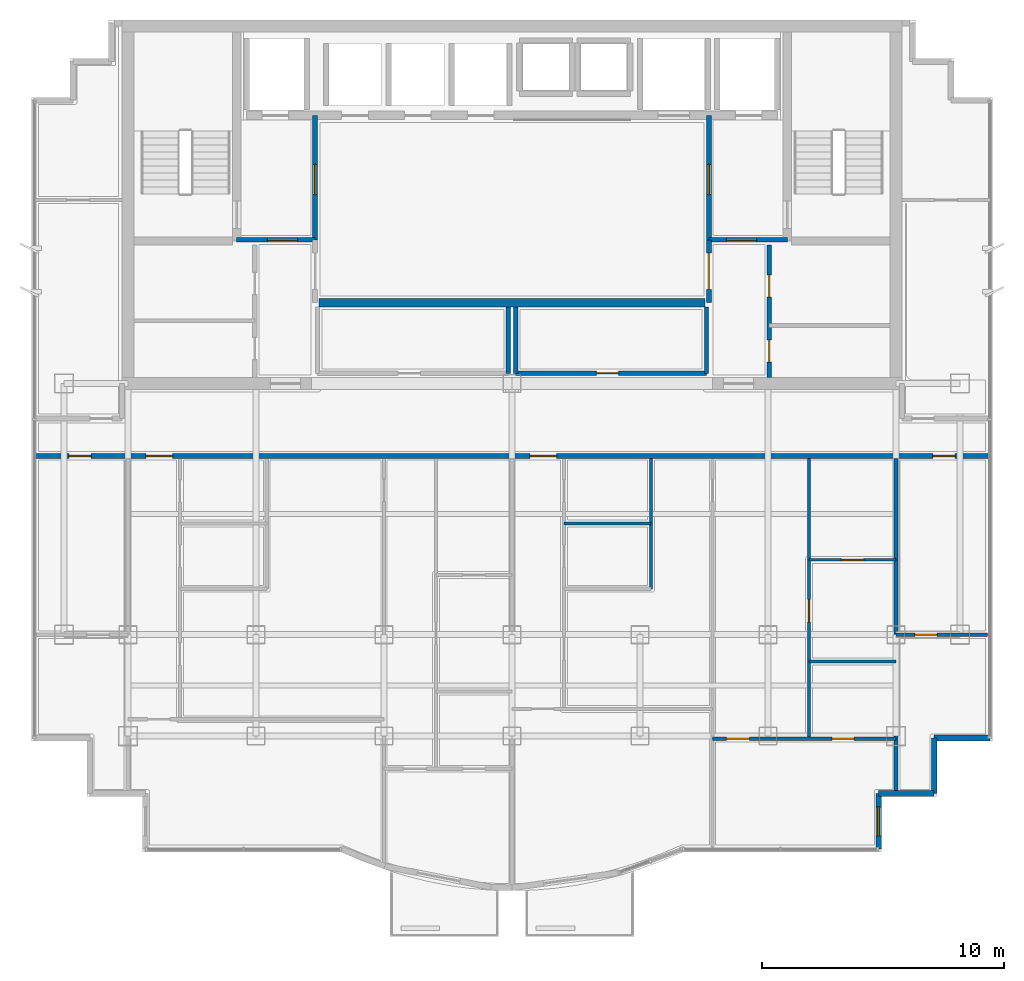
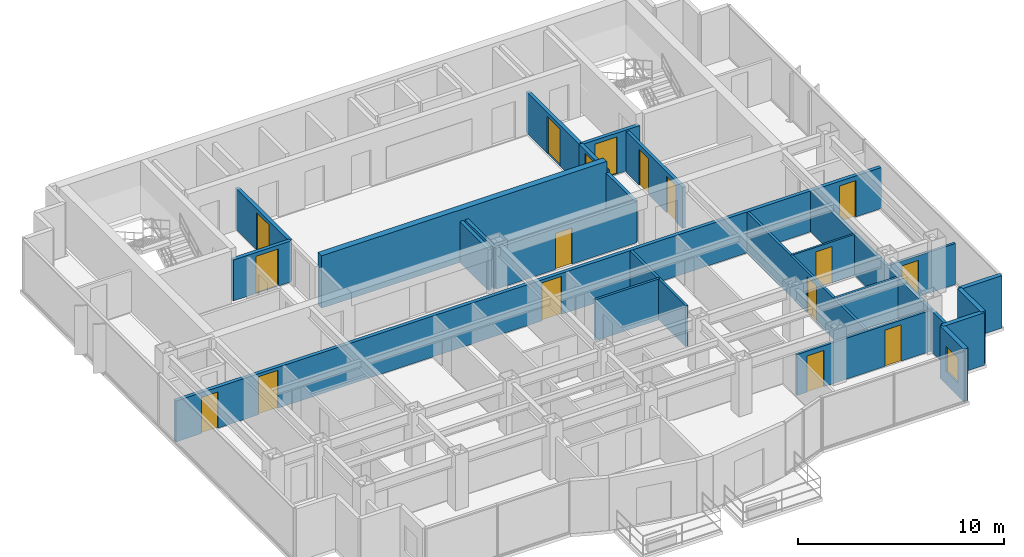
# One storey, part 8 of 12: 24 walls, 17 doors, 1 window, 18 openings.
"""IFC4 building model written with IfcOpenShell, lengths in metres."""

from ifc_helpers import new_model, si_unit, direction, frame, frame_2d, origin, place, context, subcontext, project, spatial, rectangle, extrude, material, layer, layer_set, type_object, element, fill, save


model = new_model("IFC4")

# Units and contexts
model_context = context("Model", 3, precision=1e-05, world=origin(), true_north=direction((0.0, 1.0)))
body_context = subcontext(model_context, "Body", "Model", "MODEL_VIEW")
ifc_project = project(units=[si_unit("LENGTHUNIT", "METRE"), si_unit("AREAUNIT", "SQUARE_METRE"), si_unit("VOLUMEUNIT", "CUBIC_METRE"), si_unit("PLANEANGLEUNIT", "RADIAN"), si_unit("MASSUNIT", "GRAM", prefix="KILO")], contexts=[model_context])

# Site, building, storey
site_placement = place(None, origin())
site = spatial("IfcSite", under=ifc_project, at=site_placement, CompositionType="ELEMENT")
building_placement = place(site_placement, origin())
building = spatial("IfcBuilding", under=site, at=building_placement, Name="Qianlan Lanfeng Residences", CompositionType="ELEMENT")
storey_placement = place(building_placement, frame((0.0, 0.0, 219.800048828125)))
storey = spatial("IfcBuildingStorey", under=building, at=storey_placement, Name="L60", CompositionType="ELEMENT", Elevation=219.800048828125)

# Wall
ifc_material_1 = material(Name="Concrete C49", Category="concrete")
ifc_layer_1 = layer(ifc_material_1, 0.35009765625)
ifc_layer_set_1 = layer_set([ifc_layer_1], Name="Concrete C49")
wall_type_1 = type_object("IfcWallType", Name="CW-RC-350", PredefinedType="SHEAR", material=ifc_layer_set_1)
wall_1_placement = place(storey_placement, frame((18.5, 28.550048828125, 0.0), z_axis=(0.0, 0.0, 1.0), x_axis=(1.0, 0.0, 0.0)))
element("IfcWall", 1, at=wall_1_placement, inside=storey, type_object=wall_type_1, Name="L60 Core Shear Wall LBS", PredefinedType="SHEAR", context=body_context, shape_type="SweptSolid", body=[
    extrude(rectangle(XDim=16.0, YDim=0.35009765625, at=frame_2d((8.0, 0.0))), origin(), (0.0, 0.0, 1.0), 3.10986328125),
])

# Wall, opening, window
ifc_material_2 = material(Name="Concrete C42", Category="concrete")
ifc_layer_2 = layer(ifc_material_2, 0.239990234375)
ifc_layer_set_2 = layer_set([ifc_layer_2], Name="Concrete C42")
wall_type_2 = type_object("IfcWallType", Name="EW-240", PredefinedType="SOLIDWALL", material=ifc_layer_set_2)
wall_2_placement = place(storey_placement, frame((41.679931640625, 5.919921875, 0.0), z_axis=(0.0, 0.0, 1.0), x_axis=(0.0, 1.0, 0.0)))
wall_2 = element("IfcWall", 2, at=wall_2_placement, inside=storey, type_object=wall_type_2, Name="L60 Exterior Facade Spandrel Wall 9", PredefinedType="SOLIDWALL", context=body_context, shape_type="SweptSolid", body=[
    extrude(rectangle(XDim=2.300048828125, YDim=0.239990234375, at=frame_2d((1.14990234375, 0.0))), origin(), (0.0, 0.0, 1.0), 3.10986328125),
])
opening_1_placement = place(wall_2_placement, frame((0.550048828125, 0.0, 0.75)))
opening_1 = element("IfcOpeningElement", 3, at=opening_1_placement, cuts=wall_2, Name="Opening W-03", PredefinedType="OPENING", context=body_context, shape_type="SweptSolid", body=[
    extrude(rectangle(XDim=1.199951171875, YDim=1.5, at=frame_2d((0.60009765625, 0.75))), frame((0.0, 0.1298828125, 0.0), z_axis=(0.0, -1.0, 0.0), x_axis=(1.0, 0.0, 0.0)), (0.0, 0.0, 1.0), 0.260009765625),
])
ifc_material_3 = material(Name="Anodised Bronze Aluminium Framed Double Glazing", Category="aluminium")
window_type = type_object("IfcWindowType", Name="W-03", PartitioningType="SINGLE_PANEL", PredefinedType="WINDOW", material=ifc_material_3)
window_placement = place(opening_1_placement, origin())
window = element("IfcWindow", 4, at=window_placement, inside=storey, type_object=window_type, Name="L60 Facade Punched Window W-03", OverallHeight=1.5, OverallWidth=1.199951171875, PartitioningType="SINGLE_PANEL", PredefinedType="WINDOW", context=body_context, shape_type="SweptSolid", body=[
    extrude(rectangle(XDim=1.199951171875, YDim=1.5, at=frame_2d((0.60009765625, 0.75))), frame((0.0, 0.030029296875, 0.0), z_axis=(0.0, -1.0, 0.0), x_axis=(1.0, 0.0, 0.0)), (0.0, 0.0, 1.0), 0.06005859375),
])
fill(opening_1, window)

# Walls
for number, where, z_axis, x_axis, name in (
    (5, (41.679931640625, 8.219970703125, 0.0), (0.0, 0.0, 1.0), (1.0, 0.0, 0.0), "L60 Exterior Facade Spandrel Wall 10"),
    (6, (43.97998046875, 8.219970703125, 0.0), (0.0, 0.0, 1.0), (0.0, 1.0, 0.0), "L60 Exterior Facade Spandrel Wall 11"),
    (7, (43.97998046875, 10.52001953125, 0.0), (0.0, 0.0, 1.0), (1.0, 0.0, 0.0), "L60 Exterior Facade Spandrel Wall 12"),
):
    element("IfcWall", number, at=place(storey_placement, frame(where, z_axis=z_axis, x_axis=x_axis)), inside=storey, type_object=wall_type_2, Name=name, PredefinedType="SOLIDWALL", context=body_context, shape_type="SweptSolid", body=[
        extrude(rectangle(XDim=2.300048828125, YDim=0.239990234375, at=frame_2d((1.14990234375, 0.0))), origin(), (0.0, 0.0, 1.0), 3.10986328125),
    ])

# Wall, opening, door
ifc_material_4 = material(Name="Demountable Acoustic Framing Partition 110 mm")
ifc_layer_3 = layer(ifc_material_4, 0.110107421875)
ifc_layer_set_3 = layer_set([ifc_layer_3], Name="Demountable Acoustic Framing Partition 110 mm")
wall_type_3 = type_object("IfcWallType", Name="PW-110", PredefinedType="MOVABLE", material=ifc_layer_set_3)
wall_3_placement = place(storey_placement, frame((38.800048828125, 17.89697265625, 0.0), z_axis=(0.0, 0.0, 1.0), x_axis=(1.0, 0.0, 0.0)))
wall_3 = element("IfcWall", 8, at=wall_3_placement, inside=storey, type_object=wall_type_3, Name="L60 U02 Wardrobe Split", PredefinedType="MOVABLE", context=body_context, shape_type="SweptSolid", body=[
    extrude(rectangle(XDim=3.599853515625, YDim=0.110107421875, at=frame_2d((1.7998046875, 0.0))), origin(), (0.0, 0.0, 1.0), 2.429931640625),
])
opening_2_placement = place(wall_3_placement, frame((1.340087890625, 0.0, 0.0)))
opening_2 = element("IfcOpeningElement", 9, at=opening_2_placement, cuts=wall_3, Name="Opening L60-D36", PredefinedType="OPENING", context=body_context, shape_type="SweptSolid", body=[
    extrude(rectangle(XDim=0.919921875, YDim=2.14990234375, at=frame_2d((0.4599609375, 1.074951171875))), frame((0.0, 0.06494140625, 0.0), z_axis=(0.0, -1.0, 0.0), x_axis=(1.0, 0.0, 0.0)), (0.0, 0.0, 1.0), 0.130126953125),
])
ifc_material_5 = material(Name="Glazed Timber Kitchen/Study Door", Category="wood")
door_type_1 = type_object("IfcDoorType", Name="DT-INT", OperationType="NOTDEFINED", PredefinedType="DOOR", material=ifc_material_5)
door_1_placement = place(opening_2_placement, origin())
door_1 = element("IfcDoor", 10, at=door_1_placement, inside=storey, type_object=door_type_1, Name="L60 U02 Dressing Inner Door L60-D36 (DT-INT)", OperationType="SINGLE_SWING_LEFT", OverallHeight=2.14990234375, OverallWidth=0.919921875, PredefinedType="DOOR", context=body_context, shape_type="SweptSolid", body=[
    extrude(rectangle(XDim=0.919921875, YDim=2.14990234375, at=frame_2d((0.4599609375, 1.074951171875))), frame((0.0, 0.02490234375, 0.0), z_axis=(0.0, -1.0, 0.0), x_axis=(1.0, 0.0, 0.0)), (0.0, 0.0, 1.0), 0.050048828125),
])
fill(opening_2, door_1)

# Walls
ifc_material_6 = material(Name="Moisture-Resistant Gypsum Partition 135 mm")
ifc_layer_4 = layer(ifc_material_6, 0.135009765625)
ifc_layer_set_4 = layer_set([ifc_layer_4], Name="Moisture-Resistant Gypsum Partition 135 mm")
wall_type_4 = type_object("IfcWallType", Name="PW-135", PredefinedType="PARTITIONING", material=ifc_layer_set_4)
wall_4_placement = place(storey_placement, frame((32.25, 16.699951171875, 0.0), z_axis=(0.0, 0.0, 1.0), x_axis=(0.0, 1.0, 0.0)))
element("IfcWall", 11, at=wall_4_placement, inside=storey, type_object=wall_type_4, Name="L60 U02 Dining East Wall", PredefinedType="PARTITIONING", context=body_context, shape_type="SweptSolid", body=[
    extrude(rectangle(XDim=5.400146484375, YDim=0.135009765625, at=frame_2d((2.7001953125, 0.0))), origin(), (0.0, 0.0, 1.0), 2.429931640625),
])
wall_5_placement = place(storey_placement, frame((28.64990234375, 19.39990234375, 0.0), z_axis=(0.0, 0.0, 1.0), x_axis=(1.0, 0.0, 0.0)))
element("IfcWall", 12, at=wall_5_placement, inside=storey, type_object=wall_type_4, Name="L60 U02 Bathroom South Wall", PredefinedType="PARTITIONING", context=body_context, shape_type="SweptSolid", body=[
    extrude(rectangle(XDim=3.60009765625, YDim=0.135009765625, at=frame_2d((1.800048828125, 0.0))), origin(), (0.0, 0.0, 1.0), 2.429931640625),
])

# Wall, openings, doors
wall_6_placement = place(storey_placement, frame((34.800048828125, 10.493896484375, 0.0), z_axis=(0.0, 0.0, 1.0), x_axis=(1.0, 0.0, 0.0)))
wall_6 = element("IfcWall", 13, at=wall_6_placement, inside=storey, type_object=wall_type_4, Name="L60 U02 Master Bedroom North Wall", PredefinedType="PARTITIONING", context=body_context, shape_type="SweptSolid", body=[
    extrude(rectangle(XDim=7.599853515625, YDim=0.135009765625, at=frame_2d((3.7998046875, 0.0))), origin(), (0.0, 0.0, 1.0), 2.429931640625),
])
opening_3_placement = place(wall_6_placement, frame((0.574951171875, 0.0, 0.0)))
opening_3 = element("IfcOpeningElement", 14, at=opening_3_placement, cuts=wall_6, Name="Opening L60-D33", PredefinedType="OPENING", context=body_context, shape_type="SweptSolid", body=[
    extrude(rectangle(XDim=0.949951171875, YDim=2.14990234375, at=frame_2d((0.47509765625, 1.074951171875))), frame((0.0, 0.07763671875, 0.0), z_axis=(0.0, -1.0, 0.0), x_axis=(1.0, 0.0, 0.0)), (0.0, 0.0, 1.0), 0.155029296875),
])
opening_4_placement = place(wall_6_placement, frame((4.949951171875, 0.0, 0.0)))
opening_4 = element("IfcOpeningElement", 15, at=opening_4_placement, cuts=wall_6, Name="Opening L60-D34", PredefinedType="OPENING", context=body_context, shape_type="SweptSolid", body=[
    extrude(rectangle(XDim=0.89990234375, YDim=2.14990234375, at=frame_2d((0.449951171875, 1.074951171875))), frame((0.0, 0.07763671875, 0.0), z_axis=(0.0, -1.0, 0.0), x_axis=(1.0, 0.0, 0.0)), (0.0, 0.0, 1.0), 0.155029296875),
])
ifc_material_7 = material(Name="Painted Solid-Core Timber Leaf", Category="wood")
door_type_2 = type_object("IfcDoorType", Name="DT-BED", OperationType="NOTDEFINED", PredefinedType="DOOR", material=ifc_material_7)
door_2_placement = place(opening_3_placement, frame((0.949951171875, 0.0, 0.0), z_axis=(0.0, 0.0, 1.0), x_axis=(-1.0, 0.0, 0.0)))
door_2 = element("IfcDoor", 16, at=door_2_placement, inside=storey, type_object=door_type_2, Name="L60 U02 Master Bedroom Door L60-D33 (DT-BED)", OperationType="SINGLE_SWING_RIGHT", OverallHeight=2.14990234375, OverallWidth=0.949951171875, PredefinedType="DOOR", context=body_context, shape_type="SweptSolid", body=[
    extrude(rectangle(XDim=0.949951171875, YDim=2.14990234375, at=frame_2d((0.47509765625, 1.074951171875))), frame((0.0, 0.02490234375, 0.0), z_axis=(0.0, -1.0, 0.0), x_axis=(1.0, 0.0, 0.0)), (0.0, 0.0, 1.0), 0.050048828125),
])
fill(opening_3, door_2)
ifc_material_8 = material(Name="Moisture-Resistant Timber Leaf", Category="wood")
door_type_3 = type_object("IfcDoorType", Name="DT-WC", OperationType="NOTDEFINED", PredefinedType="DOOR", material=ifc_material_8)
door_3_placement = place(opening_4_placement, origin())
door_3 = element("IfcDoor", 17, at=door_3_placement, inside=storey, type_object=door_type_3, Name="L60 U02 En-Suite Bathroom Door L60-D34 (DT-WC)", OperationType="SINGLE_SWING_LEFT", OverallHeight=2.14990234375, OverallWidth=0.89990234375, PredefinedType="DOOR", context=body_context, shape_type="SweptSolid", body=[
    extrude(rectangle(XDim=0.89990234375, YDim=2.14990234375, at=frame_2d((0.449951171875, 1.074951171875))), frame((0.0, 0.02490234375, 0.0), z_axis=(0.0, -1.0, 0.0), x_axis=(1.0, 0.0, 0.0)), (0.0, 0.0, 1.0), 0.050048828125),
])
fill(opening_4, door_3)

# Wall, opening, door
wall_7_placement = place(storey_placement, frame((38.800048828125, 10.493896484375, 0.0), z_axis=(0.0, 0.0, 1.0), x_axis=(0.0, 1.0, 0.0)))
wall_7 = element("IfcWall", 18, at=wall_7_placement, inside=storey, type_object=wall_type_4, Name="L60 U02 Master Passage Wall", PredefinedType="PARTITIONING", context=body_context, shape_type="SweptSolid", body=[
    extrude(rectangle(XDim=11.606201171875, YDim=0.135009765625, at=frame_2d((5.80322265625, 0.0))), origin(), (0.0, 0.0, 1.0), 2.429931640625),
])
opening_5_placement = place(wall_7_placement, frame((4.841064453125, 0.0, 0.0)))
opening_5 = element("IfcOpeningElement", 19, at=opening_5_placement, cuts=wall_7, Name="Opening L60-D35", PredefinedType="OPENING", context=body_context, shape_type="SweptSolid", body=[
    extrude(rectangle(XDim=0.919921875, YDim=2.14990234375, at=frame_2d((0.4599609375, 1.074951171875))), frame((0.0, 0.07763671875, 0.0), z_axis=(0.0, -1.0, 0.0), x_axis=(1.0, 0.0, 0.0)), (0.0, 0.0, 1.0), 0.155029296875),
])
door_4_placement = place(opening_5_placement, origin())
door_4 = element("IfcDoor", 20, at=door_4_placement, inside=storey, type_object=door_type_1, Name="L60 U02 Wardrobe Door L60-D35 (DT-INT)", OperationType="SINGLE_SWING_RIGHT", OverallHeight=2.14990234375, OverallWidth=0.919921875, PredefinedType="DOOR", context=body_context, shape_type="SweptSolid", body=[
    extrude(rectangle(XDim=0.919921875, YDim=2.14990234375, at=frame_2d((0.4599609375, 1.074951171875))), frame((0.0, 0.02490234375, 0.0), z_axis=(0.0, -1.0, 0.0), x_axis=(1.0, 0.0, 0.0)), (0.0, 0.0, 1.0), 0.050048828125),
])
fill(opening_5, door_4)

# Wall
wall_8_placement = place(storey_placement, frame((38.800048828125, 13.694091796875, 0.0), z_axis=(0.0, 0.0, 1.0), x_axis=(1.0, 0.0, 0.0)))
element("IfcWall", 21, at=wall_8_placement, inside=storey, type_object=wall_type_4, Name="L60 U02 En-Suite North Wall", PredefinedType="PARTITIONING", context=body_context, shape_type="SweptSolid", body=[
    extrude(rectangle(XDim=3.599853515625, YDim=0.135009765625, at=frame_2d((1.7998046875, 0.0))), origin(), (0.0, 0.0, 1.0), 2.429931640625),
])

# Wall, opening, door
wall_9_placement = place(storey_placement, frame((42.39990234375, 14.800048828125, 0.0), z_axis=(0.0, 0.0, 1.0), x_axis=(1.0, 0.0, 0.0)))
wall_9 = element("IfcWall", 22, at=wall_9_placement, inside=storey, type_object=wall_type_4, Name="L60 SEP Mid Partition", PredefinedType="PARTITIONING", context=body_context, shape_type="SweptSolid", body=[
    extrude(rectangle(XDim=3.780029296875, YDim=0.135009765625, at=frame_2d((1.89013671875, 0.0))), origin(), (0.0, 0.0, 1.0), 2.429931640625),
])
opening_6_placement = place(wall_9_placement, frame((0.780029296875, 0.0, 0.0)))
opening_6 = element("IfcOpeningElement", 23, at=opening_6_placement, cuts=wall_9, Name="Opening L60-D39", PredefinedType="OPENING", context=body_context, shape_type="SweptSolid", body=[
    extrude(rectangle(XDim=0.919921875, YDim=2.14990234375, at=frame_2d((0.4599609375, 1.074951171875))), frame((0.0, 0.07763671875, 0.0), z_axis=(0.0, -1.0, 0.0), x_axis=(1.0, 0.0, 0.0)), (0.0, 0.0, 1.0), 0.155029296875),
])
door_5_placement = place(opening_6_placement, origin())
door_5 = element("IfcDoor", 24, at=door_5_placement, inside=storey, type_object=door_type_1, Name="L60 SEP Inner Door L60-D39 (DT-INT)", OperationType="SINGLE_SWING_RIGHT", OverallHeight=2.14990234375, OverallWidth=0.919921875, PredefinedType="DOOR", context=body_context, shape_type="SweptSolid", body=[
    extrude(rectangle(XDim=0.919921875, YDim=2.14990234375, at=frame_2d((0.4599609375, 1.074951171875))), frame((0.0, 0.02490234375, 0.0), z_axis=(0.0, -1.0, 0.0), x_axis=(1.0, 0.0, 0.0)), (0.0, 0.0, 1.0), 0.050048828125),
])
fill(opening_6, door_5)

# Wall, openings, doors
ifc_material_9 = material(Name="Double-Layer Acoustic Gypsum Stud Wall 180 mm")
ifc_layer_5 = layer(ifc_material_9, 0.179931640625)
ifc_layer_set_5 = layer_set([ifc_layer_5], Name="Double-Layer Acoustic Gypsum Stud Wall 180 mm")
wall_type_5 = type_object("IfcWallType", Name="PW-180", PredefinedType="PARTITIONING", material=ifc_layer_set_5)
wall_10_placement = place(storey_placement, frame((37.14990234375, 25.449951171875, 0.0), z_axis=(0.0, 0.0, 1.0), x_axis=(0.0, 1.0, 0.0)))
wall_10 = element("IfcWall", 25, at=wall_10_placement, inside=storey, type_object=wall_type_5, Name="L60 Core East Service Room Wall", PredefinedType="PARTITIONING", context=body_context, shape_type="SweptSolid", body=[
    extrude(rectangle(XDim=5.47509765625, YDim=0.179931640625, at=frame_2d((2.737548828125, 0.0))), origin(), (0.0, 0.0, 1.0), 2.429931640625),
])
opening_7_placement = place(wall_10_placement, frame((0.64990234375, 0.0, 0.0)))
opening_7 = element("IfcOpeningElement", 26, at=opening_7_placement, cuts=wall_10, Name="Opening L60-D11", PredefinedType="OPENING", context=body_context, shape_type="SweptSolid", body=[
    extrude(rectangle(XDim=0.89990234375, YDim=2.14990234375, at=frame_2d((0.449951171875, 1.074951171875))), frame((0.0, 0.10009765625, 0.0), z_axis=(0.0, -1.0, 0.0), x_axis=(1.0, 0.0, 0.0)), (0.0, 0.0, 1.0), 0.199951171875),
])
opening_8_placement = place(wall_10_placement, frame((3.326904296875, 0.0, 0.0)))
opening_8 = element("IfcOpeningElement", 27, at=opening_8_placement, cuts=wall_10, Name="Opening L60-D12", PredefinedType="OPENING", context=body_context, shape_type="SweptSolid", body=[
    extrude(rectangle(XDim=0.919921875, YDim=2.14990234375, at=frame_2d((0.4599609375, 1.074951171875))), frame((0.0, 0.10009765625, 0.0), z_axis=(0.0, -1.0, 0.0), x_axis=(1.0, 0.0, 0.0)), (0.0, 0.0, 1.0), 0.199951171875),
])
door_6_placement = place(opening_8_placement, origin())
door_6 = element("IfcDoor", 28, at=door_6_placement, inside=storey, type_object=door_type_1, Name="L60 Refuse Room Door L60-D12 (DT-INT)", OperationType="SINGLE_SWING_LEFT", OverallHeight=2.14990234375, OverallWidth=0.919921875, PredefinedType="DOOR", context=body_context, shape_type="SweptSolid", body=[
    extrude(rectangle(XDim=0.919921875, YDim=2.14990234375, at=frame_2d((0.4599609375, 1.074951171875))), frame((0.0, 0.02490234375, 0.0), z_axis=(0.0, -1.0, 0.0), x_axis=(1.0, 0.0, 0.0)), (0.0, 0.0, 1.0), 0.050048828125),
])
fill(opening_8, door_6)
door_7_placement = place(opening_7_placement, origin())
door_7 = element("IfcDoor", 29, at=door_7_placement, inside=storey, type_object=door_type_3, Name="L60 Core WC Door L60-D11 (DT-WC)", OperationType="SINGLE_SWING_LEFT", OverallHeight=2.14990234375, OverallWidth=0.89990234375, PredefinedType="DOOR", context=body_context, shape_type="SweptSolid", body=[
    extrude(rectangle(XDim=0.89990234375, YDim=2.14990234375, at=frame_2d((0.449951171875, 1.074951171875))), frame((0.0, 0.02490234375, 0.0), z_axis=(0.0, -1.0, 0.0), x_axis=(1.0, 0.0, 0.0)), (0.0, 0.0, 1.0), 0.050048828125),
])
fill(opening_7, door_7)

# Walls
for number, where, z_axis, x_axis, name in (
    (30, (26.35009765625, 25.6201171875, 0.0), (0.0, 0.0, 1.0), (0.0, 1.0, 0.0), "L60 Reclaimed Low-Bank Room East Wall"),
    (31, (26.64990234375, 25.6201171875, 0.0), (0.0, 0.0, 1.0), (0.0, 1.0, 0.0), "L60 Reclaimed Mid-Bank Room West Wall"),
    (32, (34.550048828125, 25.6201171875, 0.0), (0.0, 0.0, 1.0), (0.0, 1.0, 0.0), "L60 Reclaimed Mid-Bank Room East Wall"),
):
    element("IfcWall", number, at=place(storey_placement, frame(where, z_axis=z_axis, x_axis=x_axis)), inside=storey, type_object=wall_type_5, Name=name, PredefinedType="PARTITIONING", context=body_context, shape_type="SweptSolid", body=[
        extrude(rectangle(XDim=2.7548828125, YDim=0.179931640625, at=frame_2d((1.37744140625, 0.0))), origin(), (0.0, 0.0, 1.0), 2.429931640625),
    ])

# Wall, opening, door
wall_11_placement = place(storey_placement, frame((26.64990234375, 25.6201171875, 0.0), z_axis=(0.0, 0.0, 1.0), x_axis=(1.0, 0.0, 0.0)))
wall_11 = element("IfcWall", 33, at=wall_11_placement, inside=storey, type_object=wall_type_5, Name="L60 Reclaimed Mid-Bank Room South Wall", PredefinedType="PARTITIONING", context=body_context, shape_type="SweptSolid", body=[
    extrude(rectangle(XDim=7.900146484375, YDim=0.179931640625, at=frame_2d((3.9501953125, 0.0))), origin(), (0.0, 0.0, 1.0), 2.429931640625),
])
opening_9_placement = place(wall_11_placement, frame((3.340087890625, 0.0, 0.0)))
opening_9 = element("IfcOpeningElement", 34, at=opening_9_placement, cuts=wall_11, Name="Opening L60-D16", PredefinedType="OPENING", context=body_context, shape_type="SweptSolid", body=[
    extrude(rectangle(XDim=0.919921875, YDim=2.14990234375, at=frame_2d((0.4599609375, 1.074951171875))), frame((0.0, 0.10009765625, 0.0), z_axis=(0.0, -1.0, 0.0), x_axis=(1.0, 0.0, 0.0)), (0.0, 0.0, 1.0), 0.199951171875),
])
door_8_placement = place(opening_9_placement, origin())
door_8 = element("IfcDoor", 35, at=door_8_placement, inside=storey, type_object=door_type_1, Name="L60 Reclaimed Mid-Bank Salon Door L60-D16 (DT-INT)", OperationType="SINGLE_SWING_LEFT", OverallHeight=2.14990234375, OverallWidth=0.919921875, PredefinedType="DOOR", context=body_context, shape_type="SweptSolid", body=[
    extrude(rectangle(XDim=0.919921875, YDim=2.14990234375, at=frame_2d((0.4599609375, 1.074951171875))), frame((0.0, 0.02490234375, 0.0), z_axis=(0.0, -1.0, 0.0), x_axis=(1.0, 0.0, 0.0)), (0.0, 0.0, 1.0), 0.050048828125),
])
fill(opening_9, door_8)

# Wall
wall_12_placement = place(storey_placement, frame((42.39990234375, 8.320068359375, 0.0), z_axis=(0.0, 0.0, 1.0), x_axis=(0.0, 1.0, 0.0)))
element("IfcWall", 36, at=wall_12_placement, inside=storey, type_object=wall_type_5, Name="L60 Wing Boundary Party Wall E0", PredefinedType="PARTITIONING", context=body_context, shape_type="SweptSolid", body=[
    extrude(rectangle(XDim=13.780029296875, YDim=0.179931640625, at=frame_2d((6.89013671875, 0.0))), origin(), (0.0, 0.0, 1.0), 2.429931640625),
])

# Wall, opening, door
ifc_material_10 = material(Name="Autoclaved Aerated Concrete Blockwork 200 mm", Category="masonry")
ifc_layer_6 = layer(ifc_material_10, 0.199951171875)
ifc_layer_set_6 = layer_set([ifc_layer_6], Name="Autoclaved Aerated Concrete Blockwork 200 mm")
wall_type_6 = type_object("IfcWallType", Name="PW-200", PredefinedType="PARTITIONING", material=ifc_layer_set_6)
wall_13_placement = place(storey_placement, frame((15.10009765625, 31.14990234375, 0.0), z_axis=(0.0, 0.0, 1.0), x_axis=(1.0, 0.0, 0.0)))
wall_13 = element("IfcWall", 37, at=wall_13_placement, inside=storey, type_object=wall_type_6, Name="L60 Firefighting Lobby 1 South Wall", PredefinedType="PARTITIONING", context=body_context, shape_type="SweptSolid", body=[
    extrude(rectangle(XDim=3.25, YDim=0.199951171875, at=frame_2d((1.625, 0.0))), origin(), (0.0, 0.0, 1.0), 2.429931640625),
])
opening_10_placement = place(wall_13_placement, frame((1.27490234375, 0.0, 0.0)))
opening_10 = element("IfcOpeningElement", 38, at=opening_10_placement, cuts=wall_13, Name="Opening L60-D03", PredefinedType="OPENING", context=body_context, shape_type="SweptSolid", body=[
    extrude(rectangle(XDim=1.25, YDim=2.199951171875, at=frame_2d((0.625, 1.10009765625))), frame((0.0, 0.10986328125, 0.0), z_axis=(0.0, -1.0, 0.0), x_axis=(1.0, 0.0, 0.0)), (0.0, 0.0, 1.0), 0.219970703125),
])
ifc_material_11 = material(Name="Painted Galvanised Steel Fire Door", Category="steel")
door_type_4 = type_object("IfcDoorType", Name="DT-FFL", OperationType="NOTDEFINED", PredefinedType="DOOR", material=ifc_material_11)
door_9_placement = place(opening_10_placement, origin())
door_9 = element("IfcDoor", 39, at=door_9_placement, inside=storey, type_object=door_type_4, Name="L60 Firefighting Lobby 1 Entry Door L60-D03 (DT-FFL)", OperationType="SINGLE_SWING_LEFT", OverallHeight=2.199951171875, OverallWidth=1.25, PredefinedType="DOOR", context=body_context, shape_type="SweptSolid", body=[
    extrude(rectangle(XDim=1.25, YDim=2.199951171875, at=frame_2d((0.625, 1.10009765625))), frame((0.0, 0.02490234375, 0.0), z_axis=(0.0, -1.0, 0.0), x_axis=(1.0, 0.0, 0.0)), (0.0, 0.0, 1.0), 0.050048828125),
])
fill(opening_10, door_9)

wall_14_placement = place(storey_placement, frame((18.35009765625, 31.14990234375, 0.0), z_axis=(0.0, 0.0, 1.0), x_axis=(0.0, 1.0, 0.0)))
wall_14 = element("IfcWall", 40, at=wall_14_placement, inside=storey, type_object=wall_type_6, Name="L60 Firefighting Lobby 1 East Wall", PredefinedType="PARTITIONING", context=body_context, shape_type="SweptSolid", body=[
    extrude(rectangle(XDim=5.150146484375, YDim=0.199951171875, at=frame_2d((2.5751953125, 0.0))), origin(), (0.0, 0.0, 1.0), 2.429931640625),
])
opening_11_placement = place(wall_14_placement, frame((1.875, 0.0, 0.0)))
opening_11 = element("IfcOpeningElement", 41, at=opening_11_placement, cuts=wall_14, Name="Opening L60-D04", PredefinedType="OPENING", context=body_context, shape_type="SweptSolid", body=[
    extrude(rectangle(XDim=1.25, YDim=2.199951171875, at=frame_2d((0.625, 1.10009765625))), frame((0.0, 0.10986328125, 0.0), z_axis=(0.0, -1.0, 0.0), x_axis=(1.0, 0.0, 0.0)), (0.0, 0.0, 1.0), 0.219970703125),
])
door_10_placement = place(opening_11_placement, origin())
door_10 = element("IfcDoor", 42, at=door_10_placement, inside=storey, type_object=door_type_4, Name="L60 Firefighting Lobby 1 Lift Lobby Door L60-D04 (DT-FFL)", OperationType="SINGLE_SWING_LEFT", OverallHeight=2.199951171875, OverallWidth=1.25, PredefinedType="DOOR", context=body_context, shape_type="SweptSolid", body=[
    extrude(rectangle(XDim=1.25, YDim=2.199951171875, at=frame_2d((0.625, 1.10009765625))), frame((0.0, 0.02490234375, 0.0), z_axis=(0.0, -1.0, 0.0), x_axis=(1.0, 0.0, 0.0)), (0.0, 0.0, 1.0), 0.050048828125),
])
fill(opening_11, door_10)

wall_15_placement = place(storey_placement, frame((34.64990234375, 31.14990234375, 0.0), z_axis=(0.0, 0.0, 1.0), x_axis=(1.0, 0.0, 0.0)))
wall_15 = element("IfcWall", 43, at=wall_15_placement, inside=storey, type_object=wall_type_6, Name="L60 Firefighting Lobby 2 South Wall", PredefinedType="PARTITIONING", context=body_context, shape_type="SweptSolid", body=[
    extrude(rectangle(XDim=3.25, YDim=0.199951171875, at=frame_2d((1.625, 0.0))), origin(), (0.0, 0.0, 1.0), 2.429931640625),
])
opening_12_placement = place(wall_15_placement, frame((0.72509765625, 0.0, 0.0)))
opening_12 = element("IfcOpeningElement", 44, at=opening_12_placement, cuts=wall_15, Name="Opening L60-D05", PredefinedType="OPENING", context=body_context, shape_type="SweptSolid", body=[
    extrude(rectangle(XDim=1.25, YDim=2.199951171875, at=frame_2d((0.625, 1.10009765625))), frame((0.0, 0.10986328125, 0.0), z_axis=(0.0, -1.0, 0.0), x_axis=(1.0, 0.0, 0.0)), (0.0, 0.0, 1.0), 0.219970703125),
])
door_11_placement = place(opening_12_placement, origin())
door_11 = element("IfcDoor", 45, at=door_11_placement, inside=storey, type_object=door_type_4, Name="L60 Firefighting Lobby 2 Entry Door L60-D05 (DT-FFL)", OperationType="SINGLE_SWING_RIGHT", OverallHeight=2.199951171875, OverallWidth=1.25, PredefinedType="DOOR", context=body_context, shape_type="SweptSolid", body=[
    extrude(rectangle(XDim=1.25, YDim=2.199951171875, at=frame_2d((0.625, 1.10009765625))), frame((0.0, 0.02490234375, 0.0), z_axis=(0.0, -1.0, 0.0), x_axis=(1.0, 0.0, 0.0)), (0.0, 0.0, 1.0), 0.050048828125),
])
fill(opening_12, door_11)

wall_16_placement = place(storey_placement, frame((34.64990234375, 31.14990234375, 0.0), z_axis=(0.0, 0.0, 1.0), x_axis=(0.0, 1.0, 0.0)))
wall_16 = element("IfcWall", 46, at=wall_16_placement, inside=storey, type_object=wall_type_6, Name="L60 Firefighting Lobby 2 West Wall", PredefinedType="PARTITIONING", context=body_context, shape_type="SweptSolid", body=[
    extrude(rectangle(XDim=5.150146484375, YDim=0.199951171875, at=frame_2d((2.5751953125, 0.0))), origin(), (0.0, 0.0, 1.0), 2.429931640625),
])
opening_13_placement = place(wall_16_placement, frame((1.875, 0.0, 0.0)))
opening_13 = element("IfcOpeningElement", 47, at=opening_13_placement, cuts=wall_16, Name="Opening L60-D06", PredefinedType="OPENING", context=body_context, shape_type="SweptSolid", body=[
    extrude(rectangle(XDim=1.25, YDim=2.199951171875, at=frame_2d((0.625, 1.10009765625))), frame((0.0, 0.10986328125, 0.0), z_axis=(0.0, -1.0, 0.0), x_axis=(1.0, 0.0, 0.0)), (0.0, 0.0, 1.0), 0.219970703125),
])
door_12_placement = place(opening_13_placement, origin())
door_12 = element("IfcDoor", 48, at=door_12_placement, inside=storey, type_object=door_type_4, Name="L60 Firefighting Lobby 2 Lift Lobby Door L60-D06 (DT-FFL)", OperationType="SINGLE_SWING_LEFT", OverallHeight=2.199951171875, OverallWidth=1.25, PredefinedType="DOOR", context=body_context, shape_type="SweptSolid", body=[
    extrude(rectangle(XDim=1.25, YDim=2.199951171875, at=frame_2d((0.625, 1.10009765625))), frame((0.0, 0.02490234375, 0.0), z_axis=(0.0, -1.0, 0.0), x_axis=(1.0, 0.0, 0.0)), (0.0, 0.0, 1.0), 0.050048828125),
])
fill(opening_13, door_12)

wall_17_placement = place(storey_placement, frame((34.64990234375, 28.550048828125, 0.0), z_axis=(0.0, 0.0, 1.0), x_axis=(0.0, 1.0, 0.0)))
wall_17 = element("IfcWall", 49, at=wall_17_placement, inside=storey, type_object=wall_type_6, Name="L60 Lift Lobby East Connector Wall", PredefinedType="PARTITIONING", context=body_context, shape_type="SweptSolid", body=[
    extrude(rectangle(XDim=2.599853515625, YDim=0.199951171875, at=frame_2d((1.2998046875, 0.0))), origin(), (0.0, 0.0, 1.0), 2.429931640625),
])
opening_14_placement = place(wall_17_placement, frame((0.550048828125, 0.0, 0.0)))
opening_14 = element("IfcOpeningElement", 50, at=opening_14_placement, cuts=wall_17, Name="Opening L60-D14", PredefinedType="OPENING", context=body_context, shape_type="SweptSolid", body=[
    extrude(rectangle(XDim=1.5, YDim=2.25, at=frame_2d((0.75, 1.125))), frame((0.0, 0.10986328125, 0.0), z_axis=(0.0, -1.0, 0.0), x_axis=(1.0, 0.0, 0.0)), (0.0, 0.0, 1.0), 0.219970703125),
])
ifc_material_12 = material(Name="Timber Veneer Acoustic Fire Door", Category="wood")
door_type_5 = type_object("IfcDoorType", Name="DT-COR1", OperationType="NOTDEFINED", PredefinedType="DOOR", material=ifc_material_12)
door_13_placement = place(opening_14_placement, frame((1.5, 0.0, 0.0), z_axis=(0.0, 0.0, 1.0), x_axis=(-1.0, 0.0, 0.0)))
door_13 = element("IfcDoor", 51, at=door_13_placement, inside=storey, type_object=door_type_5, Name="L60 Lift Lobby East Portal Door L60-D14 (DT-COR1)", OperationType="DOUBLE_DOOR_SINGLE_SWING", OverallHeight=2.25, OverallWidth=1.5, PredefinedType="DOOR", context=body_context, shape_type="SweptSolid", body=[
    extrude(rectangle(XDim=1.5, YDim=2.25, at=frame_2d((0.75, 1.125))), frame((0.0, 0.02490234375, 0.0), z_axis=(0.0, -1.0, 0.0), x_axis=(1.0, 0.0, 0.0)), (0.0, 0.0, 1.0), 0.050048828125),
])
fill(opening_14, door_13)

# Wall, openings, doors
wall_18_placement = place(storey_placement, frame((6.719970703125, 22.199951171875, 0.0), z_axis=(0.0, 0.0, 1.0), x_axis=(1.0, 0.0, 0.0)))
wall_18 = element("IfcWall", 52, at=wall_18_placement, inside=storey, type_object=wall_type_6, Name="L60 Residential Corridor South Fire Wall", PredefinedType="PARTITIONING", context=body_context, shape_type="SweptSolid", body=[
    extrude(rectangle(XDim=39.56005859375, YDim=0.199951171875, at=frame_2d((19.780029296875, 0.0))), origin(), (0.0, 0.0, 1.0), 2.429931640625),
])
opening_15_placement = place(wall_18_placement, frame((4.6298828125, 0.0, 0.0)))
opening_15 = element("IfcOpeningElement", 53, at=opening_15_placement, cuts=wall_18, Name="Opening L60-D17", PredefinedType="OPENING", context=body_context, shape_type="SweptSolid", body=[
    extrude(rectangle(XDim=1.10009765625, YDim=2.25, at=frame_2d((0.550048828125, 1.125))), frame((0.0, 0.10986328125, 0.0), z_axis=(0.0, -1.0, 0.0), x_axis=(1.0, 0.0, 0.0)), (0.0, 0.0, 1.0), 0.219970703125),
])
opening_16_placement = place(wall_18_placement, frame((20.530029296875, 0.0, 0.0)))
opening_16 = element("IfcOpeningElement", 54, at=opening_16_placement, cuts=wall_18, Name="Opening L60-D27", PredefinedType="OPENING", context=body_context, shape_type="SweptSolid", body=[
    extrude(rectangle(XDim=1.10009765625, YDim=2.25, at=frame_2d((0.550048828125, 1.125))), frame((0.0, 0.10986328125, 0.0), z_axis=(0.0, -1.0, 0.0), x_axis=(1.0, 0.0, 0.0)), (0.0, 0.0, 1.0), 0.219970703125),
])
opening_17_placement = place(wall_18_placement, frame((1.43505859375, 0.0, 0.0)))
opening_17 = element("IfcOpeningElement", 55, at=opening_17_placement, cuts=wall_18, Name="Opening L60-D38", PredefinedType="OPENING", context=body_context, shape_type="SweptSolid", body=[
    extrude(rectangle(XDim=0.919921875, YDim=2.14990234375, at=frame_2d((0.4599609375, 1.074951171875))), frame((0.0, 0.10986328125, 0.0), z_axis=(0.0, -1.0, 0.0), x_axis=(1.0, 0.0, 0.0)), (0.0, 0.0, 1.0), 0.219970703125),
])
opening_18_placement = place(wall_18_placement, frame((37.205078125, 0.0, 0.0)))
opening_18 = element("IfcOpeningElement", 56, at=opening_18_placement, cuts=wall_18, Name="Opening L60-D40", PredefinedType="OPENING", context=body_context, shape_type="SweptSolid", body=[
    extrude(rectangle(XDim=0.919921875, YDim=2.14990234375, at=frame_2d((0.4599609375, 1.074951171875))), frame((0.0, 0.10986328125, 0.0), z_axis=(0.0, -1.0, 0.0), x_axis=(1.0, 0.0, 0.0)), (0.0, 0.0, 1.0), 0.219970703125),
])
door_14_placement = place(opening_17_placement, origin())
door_14 = element("IfcDoor", 57, at=door_14_placement, inside=storey, type_object=door_type_1, Name="L60 SWP Corridor Door L60-D38 (DT-INT)", OperationType="SINGLE_SWING_LEFT", OverallHeight=2.14990234375, OverallWidth=0.919921875, PredefinedType="DOOR", context=body_context, shape_type="SweptSolid", body=[
    extrude(rectangle(XDim=0.919921875, YDim=2.14990234375, at=frame_2d((0.4599609375, 1.074951171875))), frame((0.0, 0.02490234375, 0.0), z_axis=(0.0, -1.0, 0.0), x_axis=(1.0, 0.0, 0.0)), (0.0, 0.0, 1.0), 0.050048828125),
])
fill(opening_17, door_14)
door_15_placement = place(opening_18_placement, origin())
door_15 = element("IfcDoor", 58, at=door_15_placement, inside=storey, type_object=door_type_1, Name="L60 SEP Corridor Door L60-D40 (DT-INT)", OperationType="SINGLE_SWING_LEFT", OverallHeight=2.14990234375, OverallWidth=0.919921875, PredefinedType="DOOR", context=body_context, shape_type="SweptSolid", body=[
    extrude(rectangle(XDim=0.919921875, YDim=2.14990234375, at=frame_2d((0.4599609375, 1.074951171875))), frame((0.0, 0.02490234375, 0.0), z_axis=(0.0, -1.0, 0.0), x_axis=(1.0, 0.0, 0.0)), (0.0, 0.0, 1.0), 0.050048828125),
])
fill(opening_18, door_15)
ifc_material_13 = material(Name="Solid-Core Oak Veneer Fire Door")
door_type_6 = type_object("IfcDoorType", Name="DT-UNIT", OperationType="NOTDEFINED", PredefinedType="DOOR", material=ifc_material_13)
door_16_placement = place(opening_15_placement, origin())
door_16 = element("IfcDoor", 59, at=door_16_placement, inside=storey, type_object=door_type_6, Name="L60 Apartment U01 Entrance Door L60-D17 (DT-UNIT)", OperationType="SINGLE_SWING_RIGHT", OverallHeight=2.25, OverallWidth=1.10009765625, PredefinedType="DOOR", context=body_context, shape_type="SweptSolid", body=[
    extrude(rectangle(XDim=1.10009765625, YDim=2.25, at=frame_2d((0.550048828125, 1.125))), frame((0.0, 0.02490234375, 0.0), z_axis=(0.0, -1.0, 0.0), x_axis=(1.0, 0.0, 0.0)), (0.0, 0.0, 1.0), 0.050048828125),
])
fill(opening_15, door_16)
door_17_placement = place(opening_16_placement, origin())
door_17 = element("IfcDoor", 60, at=door_17_placement, inside=storey, type_object=door_type_6, Name="L60 Apartment U02 Entrance Door L60-D27 (DT-UNIT)", OperationType="SINGLE_SWING_RIGHT", OverallHeight=2.25, OverallWidth=1.10009765625, PredefinedType="DOOR", context=body_context, shape_type="SweptSolid", body=[
    extrude(rectangle(XDim=1.10009765625, YDim=2.25, at=frame_2d((0.550048828125, 1.125))), frame((0.0, 0.02490234375, 0.0), z_axis=(0.0, -1.0, 0.0), x_axis=(1.0, 0.0, 0.0)), (0.0, 0.0, 1.0), 0.050048828125),
])
fill(opening_16, door_17)

save(model, "model.ifc")
